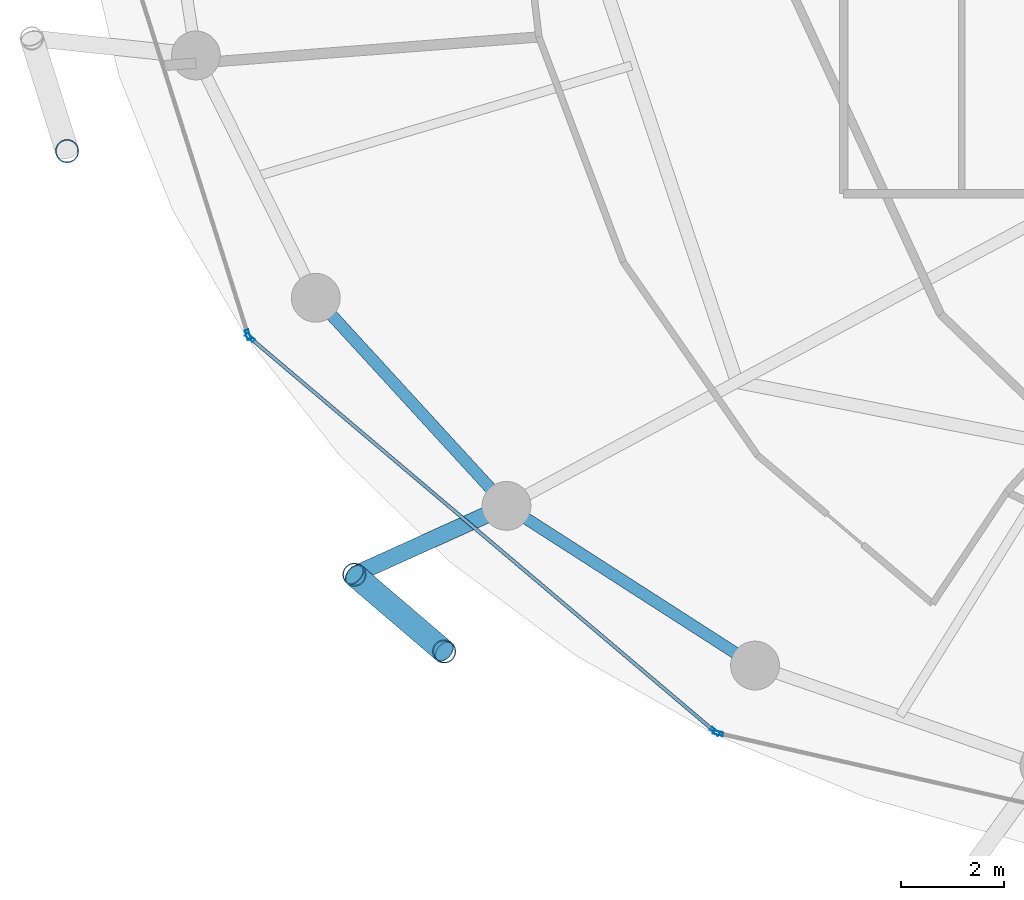
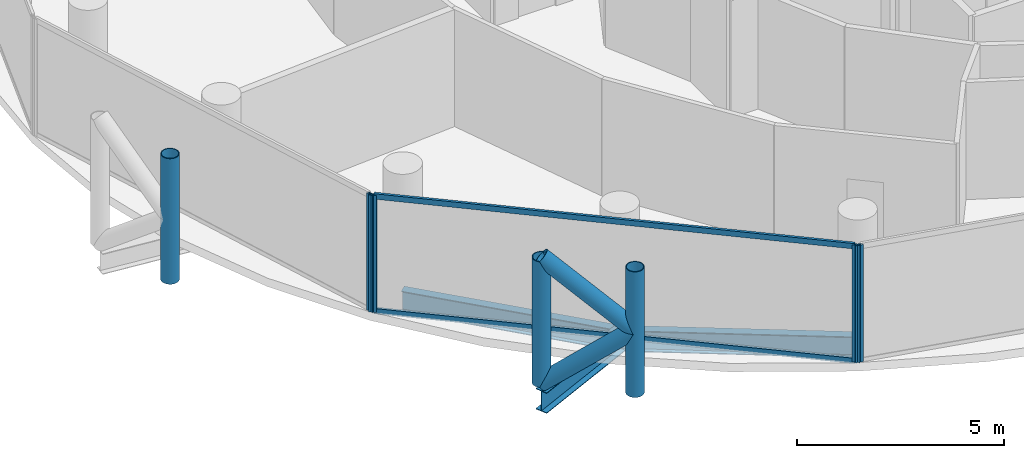
# One storey, part 2 of 26: 11 members, 3 beams, 3 elements without a shape of their own.
"""IFC4 building model written with IfcOpenShell, lengths in metres."""

from ifc_helpers import new_model, si_unit, direction, frame, origin, origin_2d, place, context, subcontext, project, spatial, hollow_rectangle, hollow_circle, i_section, extrude, material, layer, layer_set, material_profile, profile_set, type_object, element, aggregate, save


model = new_model("IFC4")

# Units and contexts
model_context = context("Model", 3, precision=1e-05, world=origin(), true_north=direction((0.0, 1.0)))
body_context = subcontext(model_context, "Body", "Model", "MODEL_VIEW")
ifc_project = project(units=[si_unit("LENGTHUNIT", "METRE"), si_unit("AREAUNIT", "SQUARE_METRE"), si_unit("VOLUMEUNIT", "CUBIC_METRE"), si_unit("PLANEANGLEUNIT", "RADIAN"), si_unit("MASSUNIT", "GRAM", prefix="KILO")], contexts=[model_context])

# Site, building, storey
site_placement = place(None, origin())
site = spatial("IfcSite", under=ifc_project, at=site_placement, CompositionType="ELEMENT")
building_placement = place(site_placement, origin())
building = spatial("IfcBuilding", under=site, at=building_placement, Name="Nuhasar Tower", CompositionType="ELEMENT")
storey_placement = place(building_placement, frame((0.0, 0.0, 147.85009765625)))
storey = spatial("IfcBuildingStorey", under=building, at=storey_placement, Name="L35", CompositionType="ELEMENT", Elevation=147.85009765625)

# Beams
ifc_material_1 = material(Name="Steel S355", Category="steel")
ifc_material_profile_1 = material_profile(ifc_material_1, i_section(OverallWidth=0.22998046875, OverallDepth=0.616943359375, WebThickness=0.01318359375, FlangeThickness=0.022216796875, at=origin_2d()), Name="W24X94")
ifc_profile_set_1 = profile_set([ifc_material_profile_1], Name="Steel S355")
beam_type_1 = type_object("IfcBeamType", Name="BM-RING-W24X94", PredefinedType="SPANDREL", material=ifc_profile_set_1)
beam_1_placement = place(storey_placement, frame((18.778076171875, 17.02490234375, -0.55908203125), z_axis=(0.675676316545, -0.737198423262, 0.0), x_axis=(0.737198423262, 0.675676316545, 0.0)))
element("IfcBeam", 1, at=beam_1_placement, inside=storey, type_object=beam_type_1, Name="L35 Perimeter Ring Spandrel 15", PredefinedType="SPANDREL", context=body_context, shape_type="SweptSolid", body=[
    extrude(i_section(OverallWidth=0.22998046875, OverallDepth=0.616943359375, WebThickness=0.01318359375, FlangeThickness=0.022216796875, at=origin_2d()), origin(), (0.0, 0.0, 1.0), 5.4921875),
])
beam_2_placement = place(storey_placement, frame((22.489013671875, 12.97607421875, -0.55908203125), z_axis=(0.841308170616, -0.540555789955, 0.0), x_axis=(0.540555789955, 0.841308170616, 0.0)))
element("IfcBeam", 2, at=beam_2_placement, inside=storey, type_object=beam_type_1, Name="L35 Perimeter Ring Spandrel 16", PredefinedType="SPANDREL", context=body_context, shape_type="SweptSolid", body=[
    extrude(i_section(OverallWidth=0.22998046875, OverallDepth=0.616943359375, WebThickness=0.01318359375, FlangeThickness=0.022216796875, at=origin_2d()), origin(), (0.0, 0.0, 1.0), 5.748046875),
])
ifc_material_profile_2 = material_profile(ifc_material_1, i_section(OverallWidth=0.323974609375, OverallDepth=0.611083984375, WebThickness=0.0126953125, FlangeThickness=0.01904296875, at=origin_2d()), Name="W24X104")
ifc_profile_set_2 = profile_set([ifc_material_profile_2], Name="Steel S355")
beam_type_2 = type_object("IfcBeamType", Name="BM-TIE-W24X104", PredefinedType="BEAM", material=ifc_profile_set_2)
beam_3_placement = place(storey_placement, frame((22.489013671875, 12.97607421875, -0.55615234375), z_axis=(-0.911211381786, -0.411939094653, 0.0), x_axis=(0.411939094653, -0.911211381786, 0.0)))
element("IfcBeam", 3, at=beam_3_placement, inside=storey, type_object=beam_type_2, Name="L35 Exoskeleton Node Tie Beam 08", PredefinedType="BEAM", context=body_context, shape_type="SweptSolid", body=[
    extrude(i_section(OverallWidth=0.323974609375, OverallDepth=0.611083984375, WebThickness=0.0126953125, FlangeThickness=0.01904296875, at=origin_2d()), origin(), (0.0, 0.0, 1.0), 3.248291015625),
])

# Curtain wall, member
ifc_material_2 = material(Name="Aluminium 6063-T6", Category="aluminium")
ifc_layer = layer(ifc_material_2, 0.199951171875)
ifc_layer_set = layer_set([ifc_layer], Name="Aluminium 6063-T6")
curtain_wall_type = type_object("IfcCurtainWallType", Name="CW-Z2-HTL", PredefinedType="NOTDEFINED", material=ifc_layer_set)
curtain_wall_1_placement = place(storey_placement, origin())
curtain_wall_1 = element("IfcCurtainWall", 4, at=curtain_wall_1_placement, inside=storey, type_object=curtain_wall_type, Name="L35 Unitised Curtain Wall 07", PredefinedType="NOTDEFINED")
ifc_material_profile_3 = material_profile(ifc_material_2, hollow_rectangle(XDim=0.070068359375, YDim=0.199951171875, WallThickness=0.0048828125, at=origin_2d()), Name="CWM-3")
ifc_profile_set_3 = profile_set([ifc_material_profile_3], Name="Aluminium 6063-T6")
member_type_1 = type_object("IfcMemberType", Name="CW-MUL-S3", PredefinedType="MULLION", material=ifc_profile_set_3)
member_1_placement = place(storey_placement, frame((17.46044921875, 16.303466796875, 0.0), z_axis=(0.0, 0.0, 1.0), x_axis=(0.953433389233, 0.301603667577, 0.0)))
member_1 = element("IfcMember", 5, at=member_1_placement, type_object=member_type_1, Name="CW-Z2 mullion 2", PredefinedType="MULLION", context=body_context, shape_type="SweptSolid", body=[
    extrude(hollow_rectangle(XDim=0.070068359375, YDim=0.199951171875, WallThickness=0.0048828125, at=origin_2d()), origin(), (0.0, 0.0, 1.0), 3.449951171875),
])
aggregate(curtain_wall_1, [member_1])

# Curtain wall, members
curtain_wall_2_placement = place(storey_placement, origin())
curtain_wall_2 = element("IfcCurtainWall", 6, at=curtain_wall_2_placement, inside=storey, type_object=curtain_wall_type, Name="L35 Unitised Curtain Wall 08", PredefinedType="NOTDEFINED")
member_2_placement = place(storey_placement, frame((17.497802734375, 16.247314453125, 0.0), z_axis=(0.0, 0.0, 1.0), x_axis=(0.646374438324, 0.763020370292, 0.0)))
member_2 = element("IfcMember", 7, at=member_2_placement, type_object=member_type_1, Name="CW-Z2 mullion 1", PredefinedType="MULLION", context=body_context, shape_type="SweptSolid", body=[
    extrude(hollow_rectangle(XDim=0.070068359375, YDim=0.199951171875, WallThickness=0.0048828125, at=origin_2d()), origin(), (0.0, 0.0, 1.0), 3.449951171875),
])
member_3_placement = place(storey_placement, frame((26.543212890625, 8.584716796875, 0.0), z_axis=(0.0, 0.0, 1.0), x_axis=(0.646374438324, 0.763020370292, 0.0)))
member_3 = element("IfcMember", 8, at=member_3_placement, type_object=member_type_1, Name="CW-Z2 mullion 2", PredefinedType="MULLION", context=body_context, shape_type="SweptSolid", body=[
    extrude(hollow_rectangle(XDim=0.070068359375, YDim=0.199951171875, WallThickness=0.0048828125, at=origin_2d()), origin(), (0.0, 0.0, 1.0), 3.449951171875),
])

# Curtain wall, member
curtain_wall_3_placement = place(storey_placement, origin())
curtain_wall_3 = element("IfcCurtainWall", 9, at=curtain_wall_3_placement, inside=storey, type_object=curtain_wall_type, Name="L35 Unitised Curtain Wall 09", PredefinedType="NOTDEFINED")
member_4_placement = place(storey_placement, frame((26.604248046875, 8.55419921875, 0.0), z_axis=(0.0, 0.0, 1.0), x_axis=(0.22139729566, 0.975183694221, 0.0)))
member_4 = element("IfcMember", 10, at=member_4_placement, type_object=member_type_1, Name="CW-Z2 mullion 1", PredefinedType="MULLION", context=body_context, shape_type="SweptSolid", body=[
    extrude(hollow_rectangle(XDim=0.070068359375, YDim=0.199951171875, WallThickness=0.0048828125, at=origin_2d()), origin(), (0.0, 0.0, 1.0), 3.449951171875),
])
aggregate(curtain_wall_3, [member_4])

# Member
ifc_material_profile_4 = material_profile(ifc_material_2, hollow_rectangle(XDim=0.070068359375, YDim=0.159912109375, WallThickness=0.00439453125, at=origin_2d()), Name="CWT-3")
ifc_profile_set_4 = profile_set([ifc_material_profile_4], Name="Aluminium 6063-T6")
member_type_2 = type_object("IfcMemberType", Name="CW-TRN-S3", PredefinedType="USERDEFINED", material=ifc_profile_set_4)
member_5_placement = place(storey_placement, frame((17.5244140625, 16.224853515625, 0.034912109375), z_axis=(0.763013698099, -0.646382314511, 0.0), x_axis=(0.646382314511, 0.763013698099, 0.0)))
member_5 = element("IfcMember", 11, at=member_5_placement, type_object=member_type_2, Name="CW-Z2 transom 1.1", ObjectType="TRANSOM", PredefinedType="USERDEFINED", context=body_context, shape_type="SweptSolid", body=[
    extrude(hollow_rectangle(XDim=0.070068359375, YDim=0.159912109375, WallThickness=0.00439453125, at=origin_2d()), origin(), (0.0, 0.0, 1.0), 11.78515625),
])

member_6_placement = place(storey_placement, frame((17.5244140625, 16.224853515625, 3.414794921875), z_axis=(0.763013698099, -0.646382314511, 0.0), x_axis=(0.646382314511, 0.763013698099, 0.0)))
member_6 = element("IfcMember", 12, at=member_6_placement, type_object=member_type_2, Name="CW-Z2 transom 1.2", ObjectType="TRANSOM", PredefinedType="USERDEFINED", context=body_context, shape_type="SweptSolid", body=[
    extrude(hollow_rectangle(XDim=0.070068359375, YDim=0.159912109375, WallThickness=0.00439453125, at=origin_2d()), origin(), (0.0, 0.0, 1.0), 11.78515625),
])

aggregate(curtain_wall_2, [member_2, member_3, member_5, member_6])

# Members
ifc_material_3 = material(Name="Steel S460", Category="steel")
ifc_material_profile_5 = material_profile(ifc_material_3, hollow_circle(Radius=0.228515625, WallThickness=0.022216796875, at=origin_2d()), Name="HSS457X22.2")
ifc_profile_set_5 = profile_set([ifc_material_profile_5], Name="Steel S460")
member_type_3 = type_object("IfcMemberType", Name="EXO-BRONZE-457", PredefinedType="BRACE", material=ifc_profile_set_5)
for number, where, z_axis, x_axis, name in (
    (13, (13.93994140625, 19.87890625, 0.0), (0.0, 0.0, 1.0), (1.0, 0.0, 0.0), "L35 Exoskeleton Chord Column EC-07B"),
    (14, (19.529052734375, 11.637939453125, 0.0), (0.0, 0.0, 1.0), (1.0, 0.0, 0.0), "L35 Exoskeleton Chord Column EC-08A"),
    (15, (21.277099609375, 10.14306640625, 0.0), (0.0, 0.0, 1.0), (1.0, 0.0, 0.0), "L35 Exoskeleton Chord Column EC-08B"),
):
    element("IfcMember", number, at=place(storey_placement, frame(where, z_axis=z_axis, x_axis=x_axis)), inside=storey, type_object=member_type_3, Name=name, PredefinedType="BRACE", context=body_context, shape_type="SweptSolid", body=[
        extrude(hollow_circle(Radius=0.228515625, WallThickness=0.022216796875, at=origin_2d()), origin(), (0.0, 0.0, 1.0), 3.699951171875),
    ])
member_7_placement = place(storey_placement, frame((19.529052734375, 11.637939453125, 0.0), z_axis=(0.592225874743, -0.506452378638, 0.626717242029), x_axis=(0.649925557156, 0.7599978751, 0.0)))
element("IfcMember", 16, at=member_7_placement, inside=storey, type_object=member_type_3, Name="L35 Bronze Diagrid Brace W1-08", PredefinedType="BRACE", context=body_context, shape_type="SweptSolid", body=[
    extrude(hollow_circle(Radius=0.228515625, WallThickness=0.022216796875, at=origin_2d()), origin(), (0.0, 0.0, 1.0), 2.95166015625),
])
member_8_placement = place(storey_placement, frame((21.277099609375, 10.14306640625, 1.849853515625), z_axis=(-0.592195175458, 0.506426125604, 0.626767463634), x_axis=(-0.649925557156, -0.7599978751, 0.0)))
element("IfcMember", 17, at=member_8_placement, inside=storey, type_object=member_type_3, Name="L35 Bronze Diagrid Brace W2-08", PredefinedType="BRACE", context=body_context, shape_type="SweptSolid", body=[
    extrude(hollow_circle(Radius=0.228515625, WallThickness=0.022216796875, at=origin_2d()), origin(), (0.0, 0.0, 1.0), 2.951904296875),
])

save(model, "model.ifc")
